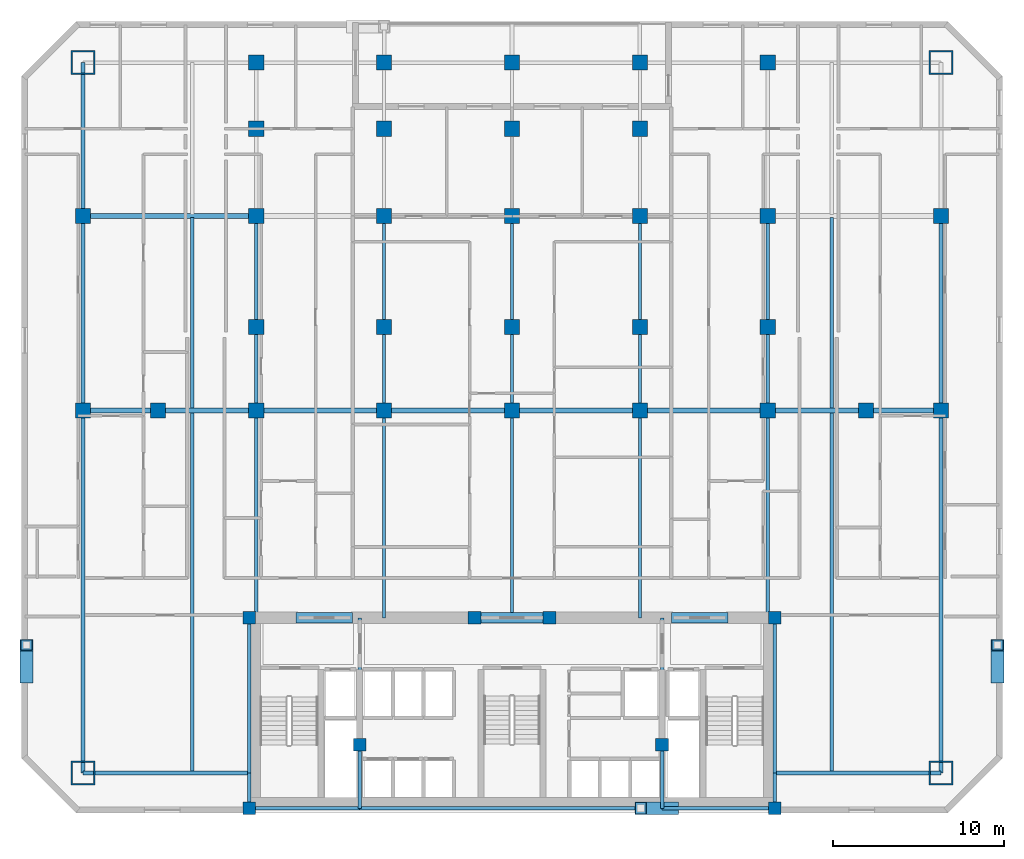
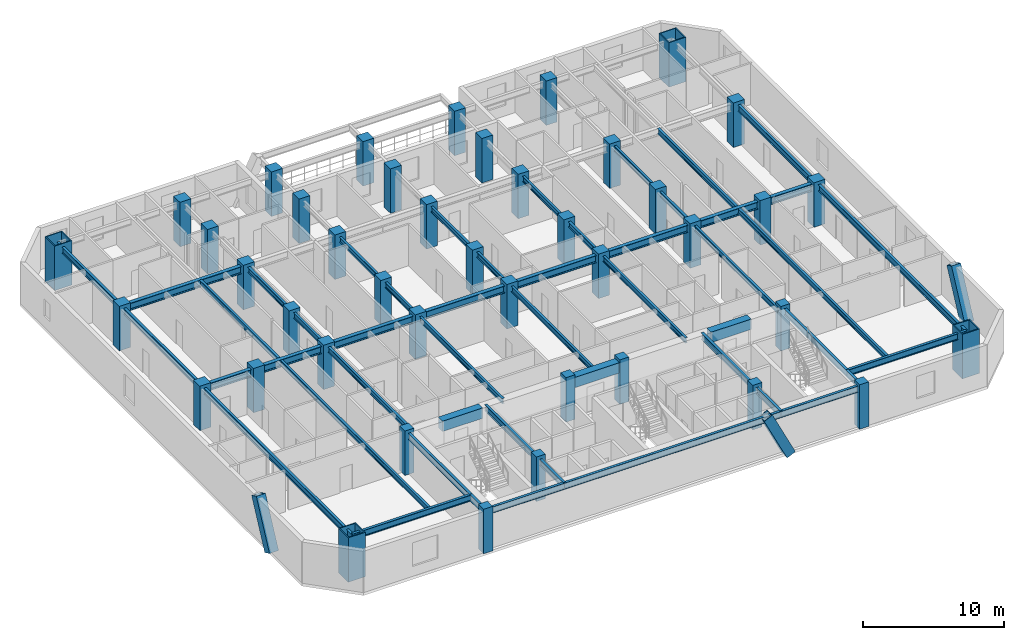
# One storey, part 1 of 10: 44 beams, 42 columns, 3 members.
"""IFC4 building model written with IfcOpenShell, lengths in metres."""

from ifc_helpers import new_model, si_unit, direction, frame, origin, origin_2d, place, context, subcontext, project, spatial, rectangle, hollow_rectangle, i_section, extrude, material, material_profile, profile_set, type_object, element, save


model = new_model("IFC4")

# Units and contexts
model_context = context("Model", 3, precision=1e-05, world=origin(), true_north=direction((0.0, 1.0)))
body_context = subcontext(model_context, "Body", "Model", "MODEL_VIEW")
ifc_project = project(units=[si_unit("LENGTHUNIT", "METRE"), si_unit("AREAUNIT", "SQUARE_METRE"), si_unit("VOLUMEUNIT", "CUBIC_METRE"), si_unit("PLANEANGLEUNIT", "RADIAN"), si_unit("MASSUNIT", "GRAM", prefix="KILO")], contexts=[model_context])

# Site, building, storey
site_placement = place(None, origin())
site = spatial("IfcSite", under=ifc_project, at=site_placement, CompositionType="ELEMENT")
building_placement = place(site_placement, origin())
building = spatial("IfcBuilding", under=site, at=building_placement, Name="Ventersveld Concourse Tower", CompositionType="ELEMENT")
storey_placement = place(building_placement, frame((0.0, 0.0, 72.14990234375)))
storey = spatial("IfcBuildingStorey", under=building, at=storey_placement, Name="L17", CompositionType="ELEMENT", Elevation=72.14990234375)

# Columns
ifc_material_1 = material(Name="Concrete C50/60", Category="concrete")
ifc_material_profile_1 = material_profile(ifc_material_1, rectangle(XDim=0.75, YDim=0.75, at=origin_2d()), Name="RC 750x750")
ifc_profile_set_1 = profile_set([ifc_material_profile_1], Name="Concrete C50/60")
column_type_1 = type_object("IfcColumnType", Name="COL-RC750", PredefinedType="COLUMN", material=ifc_profile_set_1)
for number, where, z_axis, x_axis, name in (
    (1, (13.35009765625, 0.280029296875, 0.0), (0.0, 0.0, 1.0), (1.0, 0.0, 0.0), "L17 Core Spine Column CC-SW"),
    (2, (44.14990234375, 0.280029296875, 0.0), (0.0, 0.0, 1.0), (1.0, 0.0, 0.0), "L17 Core Spine Column CC-SE"),
    (3, (13.35009765625, 11.449951171875, 0.0), (0.0, 0.0, 1.0), (1.0, 0.0, 0.0), "L17 Core Spine Column CC-NW"),
    (4, (44.14990234375, 11.449951171875, 0.0), (0.0, 0.0, 1.0), (1.0, 0.0, 0.0), "L17 Core Spine Column CC-NE"),
    (5, (19.820068359375, 4.0, 0.0), (0.0, 0.0, 1.0), (1.0, 0.0, 0.0), "L17 Core Spine Column CM-1"),
    (6, (37.550048828125, 4.0, 0.0), (0.0, 0.0, 1.0), (1.0, 0.0, 0.0), "L17 Core Spine Column CM-2"),
    (7, (26.550048828125, 11.449951171875, 0.0), (0.0, 0.0, 1.0), (1.0, 0.0, 0.0), "L17 Core Spine Column CM-3"),
    (8, (30.949951171875, 11.449951171875, 0.0), (0.0, 0.0, 1.0), (1.0, 0.0, 0.0), "L17 Core Spine Column CM-4"),
):
    element("IfcColumn", number, at=place(storey_placement, frame(where, z_axis=z_axis, x_axis=x_axis)), inside=storey, type_object=column_type_1, Name=name, PredefinedType="COLUMN", context=body_context, shape_type="SweptSolid", body=[
        extrude(rectangle(XDim=0.75, YDim=0.75, at=origin_2d()), origin(), (0.0, 0.0, 1.0), 3.85009765625),
    ])
ifc_material_2 = material(Name="Concrete C60/75", Category="concrete")
ifc_material_profile_2 = material_profile(ifc_material_2, rectangle(XDim=0.89990234375, YDim=0.89990234375, at=origin_2d()), Name="RC 900x900")
ifc_profile_set_2 = profile_set([ifc_material_profile_2], Name="Concrete C60/75")
column_type_2 = type_object("IfcColumnType", Name="COL-RC900", PredefinedType="COLUMN", material=ifc_profile_set_2)
for number, where, z_axis, x_axis, name in (
    (9, (3.60009765625, 23.60009765625, 0.0), (0.0, 0.0, 1.0), (1.0, 0.0, 0.0), "L17 Interior Gravity Column X=3.60 Y=23.60"),
    (10, (8.0, 23.60009765625, 0.0), (0.0, 0.0, 1.0), (1.0, 0.0, 0.0), "L17 Interior Gravity Column X=8.00 Y=23.60"),
    (11, (13.75, 23.60009765625, 0.0), (0.0, 0.0, 1.0), (1.0, 0.0, 0.0), "L17 Interior Gravity Column X=13.75 Y=23.60"),
    (12, (21.25, 23.60009765625, 0.0), (0.0, 0.0, 1.0), (1.0, 0.0, 0.0), "L17 Interior Gravity Column X=21.25 Y=23.60"),
    (13, (28.75, 23.60009765625, 0.0), (0.0, 0.0, 1.0), (1.0, 0.0, 0.0), "L17 Interior Gravity Column X=28.75 Y=23.60"),
    (14, (36.25, 23.60009765625, 0.0), (0.0, 0.0, 1.0), (1.0, 0.0, 0.0), "L17 Interior Gravity Column X=36.25 Y=23.60"),
    (15, (43.75, 23.60009765625, 0.0), (0.0, 0.0, 1.0), (1.0, 0.0, 0.0), "L17 Interior Gravity Column X=43.75 Y=23.60"),
    (16, (49.5, 23.60009765625, 0.0), (0.0, 0.0, 1.0), (1.0, 0.0, 0.0), "L17 Interior Gravity Column X=49.50 Y=23.60"),
    (17, (53.89990234375, 23.60009765625, 0.0), (0.0, 0.0, 1.0), (1.0, 0.0, 0.0), "L17 Interior Gravity Column X=53.90 Y=23.60"),
    (18, (13.75, 28.5, 0.0), (0.0, 0.0, 1.0), (1.0, 0.0, 0.0), "L17 Upper-North Gravity Column X=13.75 Y=28.50"),
    (19, (21.25, 28.5, 0.0), (0.0, 0.0, 1.0), (1.0, 0.0, 0.0), "L17 Upper-North Gravity Column X=21.25 Y=28.50"),
    (20, (28.75, 28.5, 0.0), (0.0, 0.0, 1.0), (1.0, 0.0, 0.0), "L17 Upper-North Gravity Column X=28.75 Y=28.50"),
    (21, (36.25, 28.5, 0.0), (0.0, 0.0, 1.0), (1.0, 0.0, 0.0), "L17 Upper-North Gravity Column X=36.25 Y=28.50"),
    (22, (43.75, 28.5, 0.0), (0.0, 0.0, 1.0), (1.0, 0.0, 0.0), "L17 Upper-North Gravity Column X=43.75 Y=28.50"),
    (23, (3.60009765625, 35.0, 0.0), (0.0, 0.0, 1.0), (1.0, 0.0, 0.0), "L17 Flank Column X=3.60 Y=35.00"),
    (24, (53.89990234375, 35.0, 0.0), (0.0, 0.0, 1.0), (1.0, 0.0, 0.0), "L17 Flank Column X=53.90 Y=35.00"),
    (25, (13.75, 44.0, 0.0), (0.0, 0.0, 1.0), (1.0, 0.0, 0.0), "L17 North Perimeter Column X=13.75 Y=44.00"),
    (26, (21.25, 44.0, 0.0), (0.0, 0.0, 1.0), (1.0, 0.0, 0.0), "L17 North Perimeter Column X=21.25 Y=44.00"),
    (27, (28.75, 44.0, 0.0), (0.0, 0.0, 1.0), (1.0, 0.0, 0.0), "L17 North Perimeter Column X=28.75 Y=44.00"),
    (28, (36.25, 44.0, 0.0), (0.0, 0.0, 1.0), (1.0, 0.0, 0.0), "L17 North Perimeter Column X=36.25 Y=44.00"),
    (29, (43.75, 44.0, 0.0), (0.0, 0.0, 1.0), (1.0, 0.0, 0.0), "L17 North Perimeter Column X=43.75 Y=44.00"),
    (30, (13.75, 40.1201171875, 0.0), (0.0, 0.0, 1.0), (1.0, 0.0, 0.0), "L17 North Brace Node Column X=13.75 Y=40.12"),
    (31, (21.25, 40.1201171875, 0.0), (0.0, 0.0, 1.0), (1.0, 0.0, 0.0), "L17 North Brace Node Column X=21.25 Y=40.12"),
    (32, (28.75, 40.1201171875, 0.0), (0.0, 0.0, 1.0), (1.0, 0.0, 0.0), "L17 North Brace Node Column X=28.75 Y=40.12"),
    (33, (36.25, 40.1201171875, 0.0), (0.0, 0.0, 1.0), (1.0, 0.0, 0.0), "L17 North Brace Node Column X=36.25 Y=40.12"),
    (34, (13.75, 35.0, 0.0), (0.0, 0.0, 1.0), (1.0, 0.0, 0.0), "L17 Mid-North Column X=13.75 Y=35.00"),
    (35, (21.25, 35.0, 0.0), (0.0, 0.0, 1.0), (1.0, 0.0, 0.0), "L17 Mid-North Column X=21.25 Y=35.00"),
    (36, (28.75, 35.0, 0.0), (0.0, 0.0, 1.0), (1.0, 0.0, 0.0), "L17 Mid-North Column X=28.75 Y=35.00"),
    (37, (36.25, 35.0, 0.0), (0.0, 0.0, 1.0), (1.0, 0.0, 0.0), "L17 Mid-North Column X=36.25 Y=35.00"),
    (38, (43.75, 35.0, 0.0), (0.0, 0.0, 1.0), (1.0, 0.0, 0.0), "L17 Mid-North Column X=43.75 Y=35.00"),
):
    element("IfcColumn", number, at=place(storey_placement, frame(where, z_axis=z_axis, x_axis=x_axis)), inside=storey, type_object=column_type_2, Name=name, PredefinedType="COLUMN", context=body_context, shape_type="SweptSolid", body=[
        extrude(rectangle(XDim=0.89990234375, YDim=0.89990234375, at=origin_2d()), origin(), (0.0, 0.0, 1.0), 3.85009765625),
    ])
ifc_material_3 = material(Name="Structural steel S460ML", Category="steel")
ifc_material_profile_3 = material_profile(ifc_material_3, hollow_rectangle(XDim=1.39990234375, YDim=1.39990234375, WallThickness=0.080078125, at=origin_2d()), Name="BOX 1400x1400x80")
ifc_profile_set_3 = profile_set([ifc_material_profile_3], Name="Structural steel S460ML")
column_type_3 = type_object("IfcColumnType", Name="MC-1400", PredefinedType="USERDEFINED", material=ifc_profile_set_3)
for number, where, z_axis, x_axis, name in (
    (39, (3.60009765625, 2.35009765625, 0.0), (0.0, 0.0, 1.0), (1.0, 0.0, 0.0), "L17 Corner Mega-Column MC-SW"),
    (40, (53.89990234375, 2.35009765625, 0.0), (0.0, 0.0, 1.0), (1.0, 0.0, 0.0), "L17 Corner Mega-Column MC-SE"),
    (41, (53.89990234375, 44.0, 0.0), (0.0, 0.0, 1.0), (1.0, 0.0, 0.0), "L17 Corner Mega-Column MC-NE"),
    (42, (3.60009765625, 44.0, 0.0), (0.0, 0.0, 1.0), (1.0, 0.0, 0.0), "L17 Corner Mega-Column MC-NW"),
):
    element("IfcColumn", number, at=place(storey_placement, frame(where, z_axis=z_axis, x_axis=x_axis)), inside=storey, type_object=column_type_3, Name=name, ObjectType="MEGA_COLUMN", PredefinedType="USERDEFINED", context=body_context, shape_type="SweptSolid", body=[
        extrude(hollow_rectangle(XDim=1.39990234375, YDim=1.39990234375, WallThickness=0.080078125, at=origin_2d()), origin(), (0.0, 0.0, 1.0), 3.85009765625),
    ])

# Beams
ifc_material_4 = material(Name="Structural steel S355J2", Category="steel")
ifc_material_profile_4 = material_profile(ifc_material_4, i_section(OverallWidth=0.19140625, OverallDepth=0.4599609375, WebThickness=0.010009765625, FlangeThickness=0.01611328125, FilletRadius=0.01025390625, at=origin_2d()), Name="UB 457x191x82")
ifc_profile_set_4 = profile_set([ifc_material_profile_4], Name="Structural steel S355J2")
beam_type_1 = type_object("IfcBeamType", Name="BM-UB457H", PredefinedType="BEAM", material=ifc_profile_set_4)
beam_1_placement = place(storey_placement, frame((10.0, 2.35009765625, 3.340087890625), z_axis=(0.0, 1.0, 0.0), x_axis=(-1.0, 0.0, 0.0)))
element("IfcBeam", 43, at=beam_1_placement, inside=storey, type_object=beam_type_1, Name="L17 N-S Composite Floor Beam South X=10.00", PredefinedType="BEAM", context=body_context, shape_type="SweptSolid", body=[
    extrude(i_section(OverallWidth=0.19140625, OverallDepth=0.4599609375, WebThickness=0.010009765625, FlangeThickness=0.01611328125, FilletRadius=0.01025390625, at=origin_2d()), origin(), (0.0, 0.0, 1.0), 21.15478515625),
])
beam_2_placement = place(storey_placement, frame((10.0, 23.695068359375, 3.340087890625), z_axis=(0.0, 1.0, 0.0), x_axis=(-1.0, 0.0, 0.0)))
element("IfcBeam", 44, at=beam_2_placement, inside=storey, type_object=beam_type_1, Name="L17 N-S Composite Floor Beam Mid X=10.00", PredefinedType="BEAM", context=body_context, shape_type="SweptSolid", body=[
    extrude(i_section(OverallWidth=0.19140625, OverallDepth=0.4599609375, WebThickness=0.010009765625, FlangeThickness=0.01611328125, FilletRadius=0.01025390625, at=origin_2d()), origin(), (0.0, 0.0, 1.0), 11.2099609375),
])
beam_3_placement = place(storey_placement, frame((13.75, 11.449951171875, 3.340087890625), z_axis=(0.0, 1.0, 0.0), x_axis=(-1.0, 0.0, 0.0)))
element("IfcBeam", 45, at=beam_3_placement, inside=storey, type_object=beam_type_1, Name="L17 N-S Composite Floor Beam South X=13.75", PredefinedType="BEAM", context=body_context, shape_type="SweptSolid", body=[
    extrude(i_section(OverallWidth=0.19140625, OverallDepth=0.4599609375, WebThickness=0.010009765625, FlangeThickness=0.01611328125, FilletRadius=0.01025390625, at=origin_2d()), origin(), (0.0, 0.0, 1.0), 12.150146484375),
])
beam_4_placement = place(storey_placement, frame((13.75, 23.60009765625, 3.340087890625), z_axis=(0.0, 1.0, 0.0), x_axis=(-1.0, 0.0, 0.0)))
element("IfcBeam", 46, at=beam_4_placement, inside=storey, type_object=beam_type_1, Name="L17 N-S Composite Floor Beam Mid X=13.75", PredefinedType="BEAM", context=body_context, shape_type="SweptSolid", body=[
    extrude(i_section(OverallWidth=0.19140625, OverallDepth=0.4599609375, WebThickness=0.010009765625, FlangeThickness=0.01611328125, FilletRadius=0.01025390625, at=origin_2d()), origin(), (0.0, 0.0, 1.0), 11.39990234375),
])
beam_5_placement = place(storey_placement, frame((21.25, 11.449951171875, 3.340087890625), z_axis=(0.0, 1.0, 0.0), x_axis=(-1.0, 0.0, 0.0)))
element("IfcBeam", 47, at=beam_5_placement, inside=storey, type_object=beam_type_1, Name="L17 N-S Composite Floor Beam South X=21.25", PredefinedType="BEAM", context=body_context, shape_type="SweptSolid", body=[
    extrude(i_section(OverallWidth=0.19140625, OverallDepth=0.4599609375, WebThickness=0.010009765625, FlangeThickness=0.01611328125, FilletRadius=0.01025390625, at=origin_2d()), origin(), (0.0, 0.0, 1.0), 12.150146484375),
])
beam_6_placement = place(storey_placement, frame((21.25, 23.60009765625, 3.340087890625), z_axis=(0.0, 1.0, 0.0), x_axis=(-1.0, 0.0, 0.0)))
element("IfcBeam", 48, at=beam_6_placement, inside=storey, type_object=beam_type_1, Name="L17 N-S Composite Floor Beam Mid X=21.25", PredefinedType="BEAM", context=body_context, shape_type="SweptSolid", body=[
    extrude(i_section(OverallWidth=0.19140625, OverallDepth=0.4599609375, WebThickness=0.010009765625, FlangeThickness=0.01611328125, FilletRadius=0.01025390625, at=origin_2d()), origin(), (0.0, 0.0, 1.0), 11.39990234375),
])
beam_7_placement = place(storey_placement, frame((28.75, 11.449951171875, 3.340087890625), z_axis=(0.0, 1.0, 0.0), x_axis=(-1.0, 0.0, 0.0)))
element("IfcBeam", 49, at=beam_7_placement, inside=storey, type_object=beam_type_1, Name="L17 N-S Composite Floor Beam South X=28.75", PredefinedType="BEAM", context=body_context, shape_type="SweptSolid", body=[
    extrude(i_section(OverallWidth=0.19140625, OverallDepth=0.4599609375, WebThickness=0.010009765625, FlangeThickness=0.01611328125, FilletRadius=0.01025390625, at=origin_2d()), origin(), (0.0, 0.0, 1.0), 12.150146484375),
])
beam_8_placement = place(storey_placement, frame((28.75, 23.60009765625, 3.340087890625), z_axis=(0.0, 1.0, 0.0), x_axis=(-1.0, 0.0, 0.0)))
element("IfcBeam", 50, at=beam_8_placement, inside=storey, type_object=beam_type_1, Name="L17 N-S Composite Floor Beam Mid X=28.75", PredefinedType="BEAM", context=body_context, shape_type="SweptSolid", body=[
    extrude(i_section(OverallWidth=0.19140625, OverallDepth=0.4599609375, WebThickness=0.010009765625, FlangeThickness=0.01611328125, FilletRadius=0.01025390625, at=origin_2d()), origin(), (0.0, 0.0, 1.0), 11.39990234375),
])
beam_9_placement = place(storey_placement, frame((36.25, 11.449951171875, 3.340087890625), z_axis=(0.0, 1.0, 0.0), x_axis=(-1.0, 0.0, 0.0)))
element("IfcBeam", 51, at=beam_9_placement, inside=storey, type_object=beam_type_1, Name="L17 N-S Composite Floor Beam South X=36.25", PredefinedType="BEAM", context=body_context, shape_type="SweptSolid", body=[
    extrude(i_section(OverallWidth=0.19140625, OverallDepth=0.4599609375, WebThickness=0.010009765625, FlangeThickness=0.01611328125, FilletRadius=0.01025390625, at=origin_2d()), origin(), (0.0, 0.0, 1.0), 12.150146484375),
])
beam_10_placement = place(storey_placement, frame((36.25, 23.60009765625, 3.340087890625), z_axis=(0.0, 1.0, 0.0), x_axis=(-1.0, 0.0, 0.0)))
element("IfcBeam", 52, at=beam_10_placement, inside=storey, type_object=beam_type_1, Name="L17 N-S Composite Floor Beam Mid X=36.25", PredefinedType="BEAM", context=body_context, shape_type="SweptSolid", body=[
    extrude(i_section(OverallWidth=0.19140625, OverallDepth=0.4599609375, WebThickness=0.010009765625, FlangeThickness=0.01611328125, FilletRadius=0.01025390625, at=origin_2d()), origin(), (0.0, 0.0, 1.0), 11.39990234375),
])
beam_11_placement = place(storey_placement, frame((43.75, 11.449951171875, 3.340087890625), z_axis=(0.0, 1.0, 0.0), x_axis=(-1.0, 0.0, 0.0)))
element("IfcBeam", 53, at=beam_11_placement, inside=storey, type_object=beam_type_1, Name="L17 N-S Composite Floor Beam South X=43.75", PredefinedType="BEAM", context=body_context, shape_type="SweptSolid", body=[
    extrude(i_section(OverallWidth=0.19140625, OverallDepth=0.4599609375, WebThickness=0.010009765625, FlangeThickness=0.01611328125, FilletRadius=0.01025390625, at=origin_2d()), origin(), (0.0, 0.0, 1.0), 12.150146484375),
])
beam_12_placement = place(storey_placement, frame((43.75, 23.60009765625, 3.340087890625), z_axis=(0.0, 1.0, 0.0), x_axis=(-1.0, 0.0, 0.0)))
element("IfcBeam", 54, at=beam_12_placement, inside=storey, type_object=beam_type_1, Name="L17 N-S Composite Floor Beam Mid X=43.75", PredefinedType="BEAM", context=body_context, shape_type="SweptSolid", body=[
    extrude(i_section(OverallWidth=0.19140625, OverallDepth=0.4599609375, WebThickness=0.010009765625, FlangeThickness=0.01611328125, FilletRadius=0.01025390625, at=origin_2d()), origin(), (0.0, 0.0, 1.0), 11.39990234375),
])
beam_13_placement = place(storey_placement, frame((47.5, 2.35009765625, 3.340087890625), z_axis=(0.0, 1.0, 0.0), x_axis=(-1.0, 0.0, 0.0)))
element("IfcBeam", 55, at=beam_13_placement, inside=storey, type_object=beam_type_1, Name="L17 N-S Composite Floor Beam South X=47.50", PredefinedType="BEAM", context=body_context, shape_type="SweptSolid", body=[
    extrude(i_section(OverallWidth=0.19140625, OverallDepth=0.4599609375, WebThickness=0.010009765625, FlangeThickness=0.01611328125, FilletRadius=0.01025390625, at=origin_2d()), origin(), (0.0, 0.0, 1.0), 21.15478515625),
])
beam_14_placement = place(storey_placement, frame((47.5, 23.695068359375, 3.340087890625), z_axis=(0.0, 1.0, 0.0), x_axis=(-1.0, 0.0, 0.0)))
element("IfcBeam", 56, at=beam_14_placement, inside=storey, type_object=beam_type_1, Name="L17 N-S Composite Floor Beam Mid X=47.50", PredefinedType="BEAM", context=body_context, shape_type="SweptSolid", body=[
    extrude(i_section(OverallWidth=0.19140625, OverallDepth=0.4599609375, WebThickness=0.010009765625, FlangeThickness=0.01611328125, FilletRadius=0.01025390625, at=origin_2d()), origin(), (0.0, 0.0, 1.0), 11.2099609375),
])
ifc_material_profile_5 = material_profile(ifc_material_2, rectangle(XDim=0.60009765625, YDim=0.89990234375, at=origin_2d()), Name="RC 600x900")
ifc_profile_set_5 = profile_set([ifc_material_profile_5], Name="Concrete C60/75")
beam_type_2 = type_object("IfcBeamType", Name="CB-RC600x900L", PredefinedType="LINTEL", material=ifc_profile_set_5)
beam_15_placement = place(storey_placement, frame((16.10009765625, 11.449951171875, 3.1201171875), z_axis=(1.0, 0.0, 0.0), x_axis=(0.0, 1.0, 0.0)))
element("IfcBeam", 57, at=beam_15_placement, inside=storey, type_object=beam_type_2, Name="L17 Core Coupling Lintel Beam 1", PredefinedType="LINTEL", context=body_context, shape_type="SweptSolid", body=[
    extrude(rectangle(XDim=0.60009765625, YDim=0.89990234375, at=origin_2d()), origin(), (0.0, 0.0, 1.0), 3.2998046875),
])
beam_16_placement = place(storey_placement, frame((26.5, 11.449951171875, 3.1201171875), z_axis=(1.0, 0.0, 0.0), x_axis=(0.0, 1.0, 0.0)))
element("IfcBeam", 58, at=beam_16_placement, inside=storey, type_object=beam_type_2, Name="L17 Core Coupling Lintel Beam 2", PredefinedType="LINTEL", context=body_context, shape_type="SweptSolid", body=[
    extrude(rectangle(XDim=0.60009765625, YDim=0.89990234375, at=origin_2d()), origin(), (0.0, 0.0, 1.0), 4.5),
])
beam_17_placement = place(storey_placement, frame((38.10009765625, 11.449951171875, 3.1201171875), z_axis=(1.0, 0.0, 0.0), x_axis=(0.0, 1.0, 0.0)))
element("IfcBeam", 59, at=beam_17_placement, inside=storey, type_object=beam_type_2, Name="L17 Core Coupling Lintel Beam 3", PredefinedType="LINTEL", context=body_context, shape_type="SweptSolid", body=[
    extrude(rectangle(XDim=0.60009765625, YDim=0.89990234375, at=origin_2d()), origin(), (0.0, 0.0, 1.0), 3.2998046875),
])
ifc_material_profile_6 = material_profile(ifc_material_4, i_section(OverallWidth=0.2119140625, OverallDepth=0.54443359375, WebThickness=0.0126953125, FlangeThickness=0.021240234375, FilletRadius=0.0126953125, at=origin_2d()), Name="UB 533x210x122")
ifc_profile_set_6 = profile_set([ifc_material_profile_6], Name="Structural steel S355J2")
beam_type_3 = type_object("IfcBeamType", Name="GRD-UB533H", PredefinedType="T_BEAM", material=ifc_profile_set_6)
beam_18_placement = place(storey_placement, frame((13.35009765625, 0.280029296875, 3.2978515625), z_axis=(0.0, 1.0, 0.0), x_axis=(-1.0, 0.0, 0.0)))
element("IfcBeam", 60, at=beam_18_placement, inside=storey, type_object=beam_type_3, Name="L17 Core West Tie Beam S", PredefinedType="T_BEAM", context=body_context, shape_type="SweptSolid", body=[
    extrude(i_section(OverallWidth=0.2119140625, OverallDepth=0.54443359375, WebThickness=0.0126953125, FlangeThickness=0.021240234375, FilletRadius=0.0126953125, at=origin_2d()), origin(), (0.0, 0.0, 1.0), 2.070068359375),
])
beam_19_placement = place(storey_placement, frame((13.35009765625, 2.35009765625, 3.2978515625), z_axis=(0.0, 1.0, 0.0), x_axis=(-1.0, 0.0, 0.0)))
element("IfcBeam", 61, at=beam_19_placement, inside=storey, type_object=beam_type_3, Name="L17 Core West Tie Beam N", PredefinedType="T_BEAM", context=body_context, shape_type="SweptSolid", body=[
    extrude(i_section(OverallWidth=0.2119140625, OverallDepth=0.54443359375, WebThickness=0.0126953125, FlangeThickness=0.021240234375, FilletRadius=0.0126953125, at=origin_2d()), origin(), (0.0, 0.0, 1.0), 9.099853515625),
])
beam_20_placement = place(storey_placement, frame((44.14990234375, 0.280029296875, 3.2978515625), z_axis=(0.0, 1.0, 0.0), x_axis=(-1.0, 0.0, 0.0)))
element("IfcBeam", 62, at=beam_20_placement, inside=storey, type_object=beam_type_3, Name="L17 Core East Tie Beam S", PredefinedType="T_BEAM", context=body_context, shape_type="SweptSolid", body=[
    extrude(i_section(OverallWidth=0.2119140625, OverallDepth=0.54443359375, WebThickness=0.0126953125, FlangeThickness=0.021240234375, FilletRadius=0.0126953125, at=origin_2d()), origin(), (0.0, 0.0, 1.0), 2.070068359375),
])
beam_21_placement = place(storey_placement, frame((44.14990234375, 2.35009765625, 3.2978515625), z_axis=(0.0, 1.0, 0.0), x_axis=(-1.0, 0.0, 0.0)))
element("IfcBeam", 63, at=beam_21_placement, inside=storey, type_object=beam_type_3, Name="L17 Core East Tie Beam N", PredefinedType="T_BEAM", context=body_context, shape_type="SweptSolid", body=[
    extrude(i_section(OverallWidth=0.2119140625, OverallDepth=0.54443359375, WebThickness=0.0126953125, FlangeThickness=0.021240234375, FilletRadius=0.0126953125, at=origin_2d()), origin(), (0.0, 0.0, 1.0), 9.099853515625),
])
beam_22_placement = place(storey_placement, frame((13.35009765625, 0.280029296875, 3.2978515625), z_axis=(1.0, 0.0, 0.0), x_axis=(0.0, 1.0, 0.0)))
element("IfcBeam", 64, at=beam_22_placement, inside=storey, type_object=beam_type_3, Name="L17 Core South Tie Beam W", PredefinedType="T_BEAM", context=body_context, shape_type="SweptSolid", body=[
    extrude(i_section(OverallWidth=0.2119140625, OverallDepth=0.54443359375, WebThickness=0.0126953125, FlangeThickness=0.021240234375, FilletRadius=0.0126953125, at=origin_2d()), origin(), (0.0, 0.0, 1.0), 6.469970703125),
])
beam_23_placement = place(storey_placement, frame((19.820068359375, 0.280029296875, 3.2978515625), z_axis=(1.0, 0.0, 0.0), x_axis=(0.0, 1.0, 0.0)))
element("IfcBeam", 65, at=beam_23_placement, inside=storey, type_object=beam_type_3, Name="L17 Core South Tie Beam C", PredefinedType="T_BEAM", context=body_context, shape_type="SweptSolid", body=[
    extrude(i_section(OverallWidth=0.2119140625, OverallDepth=0.54443359375, WebThickness=0.0126953125, FlangeThickness=0.021240234375, FilletRadius=0.0126953125, at=origin_2d()), origin(), (0.0, 0.0, 1.0), 17.72998046875),
])
beam_24_placement = place(storey_placement, frame((37.550048828125, 0.280029296875, 3.2978515625), z_axis=(1.0, 0.0, 0.0), x_axis=(0.0, 1.0, 0.0)))
element("IfcBeam", 66, at=beam_24_placement, inside=storey, type_object=beam_type_3, Name="L17 Core South Tie Beam E", PredefinedType="T_BEAM", context=body_context, shape_type="SweptSolid", body=[
    extrude(i_section(OverallWidth=0.2119140625, OverallDepth=0.54443359375, WebThickness=0.0126953125, FlangeThickness=0.021240234375, FilletRadius=0.0126953125, at=origin_2d()), origin(), (0.0, 0.0, 1.0), 6.599853515625),
])
beam_25_placement = place(storey_placement, frame((19.820068359375, 0.280029296875, 3.2978515625), z_axis=(0.0, 1.0, 0.0), x_axis=(-1.0, 0.0, 0.0)))
element("IfcBeam", 67, at=beam_25_placement, inside=storey, type_object=beam_type_3, Name="L17 Core Spine N-S Tie Beam W1", PredefinedType="T_BEAM", context=body_context, shape_type="SweptSolid", body=[
    extrude(i_section(OverallWidth=0.2119140625, OverallDepth=0.54443359375, WebThickness=0.0126953125, FlangeThickness=0.021240234375, FilletRadius=0.0126953125, at=origin_2d()), origin(), (0.0, 0.0, 1.0), 3.719970703125),
])
beam_26_placement = place(storey_placement, frame((19.820068359375, 4.0, 3.2978515625), z_axis=(0.0, 1.0, 0.0), x_axis=(-1.0, 0.0, 0.0)))
element("IfcBeam", 68, at=beam_26_placement, inside=storey, type_object=beam_type_3, Name="L17 Core Spine N-S Tie Beam W2", PredefinedType="T_BEAM", context=body_context, shape_type="SweptSolid", body=[
    extrude(i_section(OverallWidth=0.2119140625, OverallDepth=0.54443359375, WebThickness=0.0126953125, FlangeThickness=0.021240234375, FilletRadius=0.0126953125, at=origin_2d()), origin(), (0.0, 0.0, 1.0), 7.449951171875),
])
beam_27_placement = place(storey_placement, frame((37.550048828125, 0.280029296875, 3.2978515625), z_axis=(0.0, 1.0, 0.0), x_axis=(-1.0, 0.0, 0.0)))
element("IfcBeam", 69, at=beam_27_placement, inside=storey, type_object=beam_type_3, Name="L17 Core Spine N-S Tie Beam E1", PredefinedType="T_BEAM", context=body_context, shape_type="SweptSolid", body=[
    extrude(i_section(OverallWidth=0.2119140625, OverallDepth=0.54443359375, WebThickness=0.0126953125, FlangeThickness=0.021240234375, FilletRadius=0.0126953125, at=origin_2d()), origin(), (0.0, 0.0, 1.0), 3.719970703125),
])
beam_28_placement = place(storey_placement, frame((37.550048828125, 4.0, 3.2978515625), z_axis=(0.0, 1.0, 0.0), x_axis=(-1.0, 0.0, 0.0)))
element("IfcBeam", 70, at=beam_28_placement, inside=storey, type_object=beam_type_3, Name="L17 Core Spine N-S Tie Beam E2", PredefinedType="T_BEAM", context=body_context, shape_type="SweptSolid", body=[
    extrude(i_section(OverallWidth=0.2119140625, OverallDepth=0.54443359375, WebThickness=0.0126953125, FlangeThickness=0.021240234375, FilletRadius=0.0126953125, at=origin_2d()), origin(), (0.0, 0.0, 1.0), 7.449951171875),
])
ifc_material_profile_7 = material_profile(ifc_material_4, i_section(OverallWidth=0.311279296875, OverallDepth=0.6357421875, WebThickness=0.018310546875, FlangeThickness=0.031494140625, FilletRadius=0.0166015625, at=origin_2d()), Name="UB 610x305x238")
ifc_profile_set_7 = profile_set([ifc_material_profile_7], Name="Structural steel S355J2")
beam_type_4 = type_object("IfcBeamType", Name="GRD-UB610H", PredefinedType="USERDEFINED", material=ifc_profile_set_7)
beam_29_placement = place(storey_placement, frame((3.60009765625, 23.60009765625, 3.252197265625), z_axis=(1.0, 0.0, 0.0), x_axis=(0.0, 1.0, 0.0)))
element("IfcBeam", 71, at=beam_29_placement, inside=storey, type_object=beam_type_4, Name="L17 Primary E-W Grid Girder Y=23.60 #1", ObjectType="GIRDER", PredefinedType="USERDEFINED", context=body_context, shape_type="SweptSolid", body=[
    extrude(i_section(OverallWidth=0.311279296875, OverallDepth=0.6357421875, WebThickness=0.018310546875, FlangeThickness=0.031494140625, FilletRadius=0.0166015625, at=origin_2d()), origin(), (0.0, 0.0, 1.0), 4.39990234375),
])
beam_30_placement = place(storey_placement, frame((8.0, 23.60009765625, 3.252197265625), z_axis=(1.0, 0.0, 0.0), x_axis=(0.0, 1.0, 0.0)))
element("IfcBeam", 72, at=beam_30_placement, inside=storey, type_object=beam_type_4, Name="L17 Primary E-W Grid Girder Y=23.60 #2", ObjectType="GIRDER", PredefinedType="USERDEFINED", context=body_context, shape_type="SweptSolid", body=[
    extrude(i_section(OverallWidth=0.311279296875, OverallDepth=0.6357421875, WebThickness=0.018310546875, FlangeThickness=0.031494140625, FilletRadius=0.0166015625, at=origin_2d()), origin(), (0.0, 0.0, 1.0), 5.75),
])
for number, where, z_axis, x_axis, name in (
    (73, (13.75, 23.60009765625, 3.252197265625), (1.0, 0.0, 0.0), (0.0, 1.0, 0.0), "L17 Primary E-W Grid Girder Y=23.60 #3"),
    (74, (21.25, 23.60009765625, 3.252197265625), (1.0, 0.0, 0.0), (0.0, 1.0, 0.0), "L17 Primary E-W Grid Girder Y=23.60 #4"),
    (75, (28.75, 23.60009765625, 3.252197265625), (1.0, 0.0, 0.0), (0.0, 1.0, 0.0), "L17 Primary E-W Grid Girder Y=23.60 #5"),
    (76, (36.25, 23.60009765625, 3.252197265625), (1.0, 0.0, 0.0), (0.0, 1.0, 0.0), "L17 Primary E-W Grid Girder Y=23.60 #6"),
):
    element("IfcBeam", number, at=place(storey_placement, frame(where, z_axis=z_axis, x_axis=x_axis)), inside=storey, type_object=beam_type_4, Name=name, ObjectType="GIRDER", PredefinedType="USERDEFINED", context=body_context, shape_type="SweptSolid", body=[
        extrude(i_section(OverallWidth=0.311279296875, OverallDepth=0.6357421875, WebThickness=0.018310546875, FlangeThickness=0.031494140625, FilletRadius=0.0166015625, at=origin_2d()), origin(), (0.0, 0.0, 1.0), 7.5),
    ])
beam_31_placement = place(storey_placement, frame((43.75, 23.60009765625, 3.252197265625), z_axis=(1.0, 0.0, 0.0), x_axis=(0.0, 1.0, 0.0)))
element("IfcBeam", 77, at=beam_31_placement, inside=storey, type_object=beam_type_4, Name="L17 Primary E-W Grid Girder Y=23.60 #7", ObjectType="GIRDER", PredefinedType="USERDEFINED", context=body_context, shape_type="SweptSolid", body=[
    extrude(i_section(OverallWidth=0.311279296875, OverallDepth=0.6357421875, WebThickness=0.018310546875, FlangeThickness=0.031494140625, FilletRadius=0.0166015625, at=origin_2d()), origin(), (0.0, 0.0, 1.0), 5.75),
])
beam_32_placement = place(storey_placement, frame((49.5, 23.60009765625, 3.252197265625), z_axis=(1.0, 0.0, 0.0), x_axis=(0.0, 1.0, 0.0)))
element("IfcBeam", 78, at=beam_32_placement, inside=storey, type_object=beam_type_4, Name="L17 Primary E-W Grid Girder Y=23.60 #8", ObjectType="GIRDER", PredefinedType="USERDEFINED", context=body_context, shape_type="SweptSolid", body=[
    extrude(i_section(OverallWidth=0.311279296875, OverallDepth=0.6357421875, WebThickness=0.018310546875, FlangeThickness=0.031494140625, FilletRadius=0.0166015625, at=origin_2d()), origin(), (0.0, 0.0, 1.0), 4.39990234375),
])
beam_33_placement = place(storey_placement, frame((3.60009765625, 35.0, 3.252197265625), z_axis=(1.0, 0.0, 0.0), x_axis=(0.0, 1.0, 0.0)))
element("IfcBeam", 79, at=beam_33_placement, inside=storey, type_object=beam_type_4, Name="L17 E-W Grid Girder Y=35.00 #1", ObjectType="GIRDER", PredefinedType="USERDEFINED", context=body_context, shape_type="SweptSolid", body=[
    extrude(i_section(OverallWidth=0.311279296875, OverallDepth=0.6357421875, WebThickness=0.018310546875, FlangeThickness=0.031494140625, FilletRadius=0.0166015625, at=origin_2d()), origin(), (0.0, 0.0, 1.0), 10.14990234375),
])

# Members
ifc_material_5 = material(Name="Structural steel S355ML", Category="steel")
ifc_material_profile_8 = material_profile(ifc_material_5, hollow_rectangle(XDim=0.75, YDim=0.75, WallThickness=0.044921875, at=origin_2d()), Name="BOX 750x750x45")
ifc_profile_set_8 = profile_set([ifc_material_profile_8], Name="Structural steel S355ML")
member_type = type_object("IfcMemberType", Name="MB-750x750", PredefinedType="BRACE", material=ifc_profile_set_8)
for number, where, z_axis, x_axis, name in (
    (80, (38.175048828125, 0.280029296875, -0.25), (-0.440615191354, 0.0, 0.897696080613), (0.0, -1.0, 0.0), "L17 Exterior Mega-Brace S (Module M03)"),
    (81, (0.280029296875, 7.97509765625, -0.25), (0.0, 0.440615191354, 0.897696080613), (-1.0, 0.0, 0.0), "L17 Exterior Mega-Brace W (Module M03)"),
    (82, (57.219970703125, 7.97509765625, -0.25), (0.0, 0.440615191354, 0.897696080613), (-1.0, 0.0, 0.0), "L17 Exterior Mega-Brace E (Module M03)"),
):
    element("IfcMember", number, at=place(storey_placement, frame(where, z_axis=z_axis, x_axis=x_axis)), inside=storey, type_object=member_type, Name=name, PredefinedType="BRACE", context=body_context, shape_type="SweptSolid", body=[
        extrude(hollow_rectangle(XDim=0.75, YDim=0.75, WallThickness=0.044921875, at=origin_2d()), origin(), (0.0, 0.0, 1.0), 4.25537109375),
    ])

# Beams
ifc_material_profile_9 = material_profile(ifc_material_4, i_section(OverallWidth=0.2119140625, OverallDepth=0.54443359375, WebThickness=0.0126953125, FlangeThickness=0.021240234375, FilletRadius=0.0126953125, at=origin_2d()), Name="UB 533x210x122")
ifc_profile_set_9 = profile_set([ifc_material_profile_9], Name="Structural steel S355J2")
beam_type_5 = type_object("IfcBeamType", Name="SPD-UB533", PredefinedType="SPANDREL", material=ifc_profile_set_9)
for number, where, z_axis, x_axis, name in (
    (83, (3.60009765625, 2.35009765625, 3.2978515625), (1.0, 0.0, 0.0), (0.0, 1.0, 0.0), "L17 SW Spandrel Beam"),
    (84, (44.14990234375, 2.35009765625, 3.2978515625), (1.0, 0.0, 0.0), (0.0, 1.0, 0.0), "L17 SE Spandrel Beam"),
):
    element("IfcBeam", number, at=place(storey_placement, frame(where, z_axis=z_axis, x_axis=x_axis)), inside=storey, type_object=beam_type_5, Name=name, PredefinedType="SPANDREL", context=body_context, shape_type="SweptSolid", body=[
        extrude(i_section(OverallWidth=0.2119140625, OverallDepth=0.54443359375, WebThickness=0.0126953125, FlangeThickness=0.021240234375, FilletRadius=0.0126953125, at=origin_2d()), origin(), (0.0, 0.0, 1.0), 9.75),
    ])
beam_34_placement = place(storey_placement, frame((3.60009765625, 2.35009765625, 3.2978515625), z_axis=(0.0, 1.0, 0.0), x_axis=(-1.0, 0.0, 0.0)))
element("IfcBeam", 85, at=beam_34_placement, inside=storey, type_object=beam_type_5, Name="L17 West Spandrel Beam S", PredefinedType="SPANDREL", context=body_context, shape_type="SweptSolid", body=[
    extrude(i_section(OverallWidth=0.2119140625, OverallDepth=0.54443359375, WebThickness=0.0126953125, FlangeThickness=0.021240234375, FilletRadius=0.0126953125, at=origin_2d()), origin(), (0.0, 0.0, 1.0), 21.25),
])
beam_35_placement = place(storey_placement, frame((3.60009765625, 23.60009765625, 3.2978515625), z_axis=(0.0, 1.0, 0.0), x_axis=(-1.0, 0.0, 0.0)))
element("IfcBeam", 86, at=beam_35_placement, inside=storey, type_object=beam_type_5, Name="L17 West Spandrel Beam M", PredefinedType="SPANDREL", context=body_context, shape_type="SweptSolid", body=[
    extrude(i_section(OverallWidth=0.2119140625, OverallDepth=0.54443359375, WebThickness=0.0126953125, FlangeThickness=0.021240234375, FilletRadius=0.0126953125, at=origin_2d()), origin(), (0.0, 0.0, 1.0), 11.39990234375),
])
beam_36_placement = place(storey_placement, frame((3.60009765625, 35.0, 3.2978515625), z_axis=(0.0, 1.0, 0.0), x_axis=(-1.0, 0.0, 0.0)))
element("IfcBeam", 87, at=beam_36_placement, inside=storey, type_object=beam_type_5, Name="L17 West Spandrel Beam N", PredefinedType="SPANDREL", context=body_context, shape_type="SweptSolid", body=[
    extrude(i_section(OverallWidth=0.2119140625, OverallDepth=0.54443359375, WebThickness=0.0126953125, FlangeThickness=0.021240234375, FilletRadius=0.0126953125, at=origin_2d()), origin(), (0.0, 0.0, 1.0), 9.0),
])
beam_37_placement = place(storey_placement, frame((53.89990234375, 2.35009765625, 3.2978515625), z_axis=(0.0, 1.0, 0.0), x_axis=(-1.0, 0.0, 0.0)))
element("IfcBeam", 88, at=beam_37_placement, inside=storey, type_object=beam_type_5, Name="L17 East Spandrel Beam S", PredefinedType="SPANDREL", context=body_context, shape_type="SweptSolid", body=[
    extrude(i_section(OverallWidth=0.2119140625, OverallDepth=0.54443359375, WebThickness=0.0126953125, FlangeThickness=0.021240234375, FilletRadius=0.0126953125, at=origin_2d()), origin(), (0.0, 0.0, 1.0), 21.25),
])
beam_38_placement = place(storey_placement, frame((53.89990234375, 23.60009765625, 3.2978515625), z_axis=(0.0, 1.0, 0.0), x_axis=(-1.0, 0.0, 0.0)))
element("IfcBeam", 89, at=beam_38_placement, inside=storey, type_object=beam_type_5, Name="L17 East Spandrel Beam M", PredefinedType="SPANDREL", context=body_context, shape_type="SweptSolid", body=[
    extrude(i_section(OverallWidth=0.2119140625, OverallDepth=0.54443359375, WebThickness=0.0126953125, FlangeThickness=0.021240234375, FilletRadius=0.0126953125, at=origin_2d()), origin(), (0.0, 0.0, 1.0), 11.39990234375),
])

save(model, "model.ifc")
